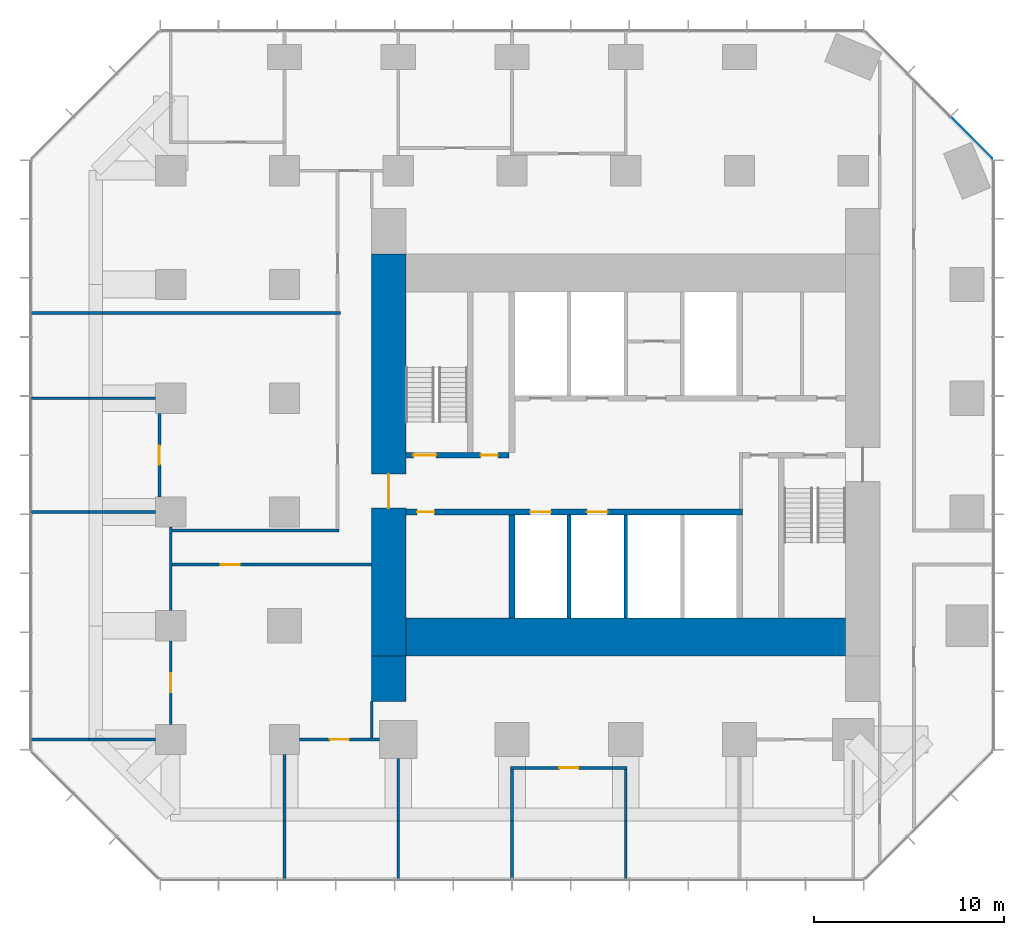
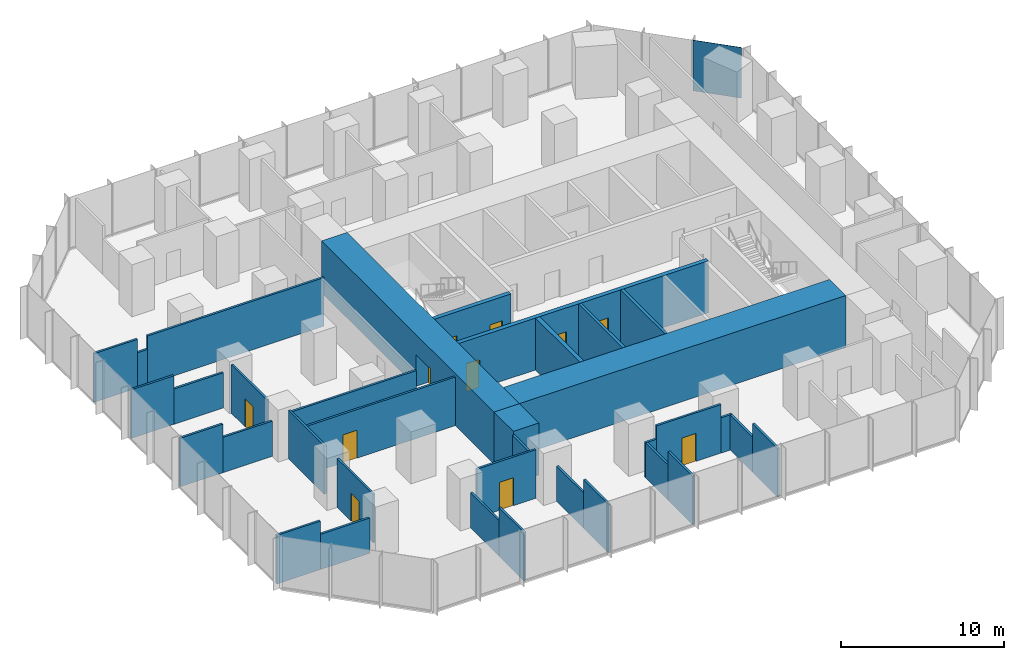
# One storey, part 8 of 11: 35 walls, 11 doors, 1 plate, 11 openings, 1 element without a shape of its own.
"""IFC4 building model written with IfcOpenShell, lengths in metres."""

import ifcopenshell
import ifcopenshell.guid

model = None  # the IFC model being written
_history = None  # IfcOwnerHistory: only IFC2X3 demands one
_inside = {}  # id of a spatial element -> (the spatial element, [elements in it])
_under = {}  # id of a project, library or spatial element -> (it, [spatial elements below it])
_declared = {}  # id of a project -> (the project, [libraries it declares])
_typed = {}  # id of a type object -> (the type object, [elements of that type])
_made_of = {}  # id of a material, layer set ... -> (it, [elements and type objects made of it])


def new_model(schema):
    """Start an empty IFC model of exactly this schema.

    Asked for "IFC4X3", IfcOpenShell would pick the latest addendum, in which some entities
    have other attributes; the version numbers below select the first issue.
    IFC2X3 requires an IfcOwnerHistory on every rooted entity: one is made here for all.
    """
    global model, _history
    if schema == "IFC4X3":
        model = ifcopenshell.file(schema_version=(4, 3, 0, 0))
    else:
        model = ifcopenshell.file(schema=schema)
    _inside.clear()
    _under.clear()
    _declared.clear()
    _typed.clear()
    _made_of.clear()
    _history = None
    if model.schema == "IFC2X3":
        org = make("IfcOrganization", Name="unknown")
        user = make(
            "IfcPersonAndOrganization",
            ThePerson=make("IfcPerson", FamilyName="unknown"),
            TheOrganization=org,
        )
        app = make(
            "IfcApplication",
            ApplicationDeveloper=org,
            Version="unknown",
            ApplicationFullName="unknown",
            ApplicationIdentifier="unknown",
        )
        _history = make(
            "IfcOwnerHistory",
            OwningUser=user,
            OwningApplication=app,
            ChangeAction="ADDED",
            CreationDate=0,
        )
    return model


def make(cls, **values):
    """One entity of the class cls with the attributes given. An attribute that is None is left unset."""
    return model.create_entity(
        cls, **{name: value for name, value in values.items() if value is not None}
    )


def rooted(cls, **values):
    """An entity with a GlobalId (a new one), such as an element, a storey or a relation."""
    return make(cls, GlobalId=ifcopenshell.guid.new(), OwnerHistory=_history, **values)


def si_unit(unit_type, name, prefix=None):
    """IfcSIUnit, for example si_unit("LENGTHUNIT", "METRE", prefix="MILLI")."""
    return make("IfcSIUnit", UnitType=unit_type, Prefix=prefix, Name=name)


def assignment(units):
    """IfcUnitAssignment: the units of a project."""
    return None if units is None else make("IfcUnitAssignment", Units=units)


def point(xyz):
    """IfcCartesianPoint."""
    return None if xyz is None else make("IfcCartesianPoint", Coordinates=xyz)


def direction(xyz):
    """IfcDirection."""
    return None if xyz is None else make("IfcDirection", DirectionRatios=xyz)


def frame(location, z_axis=None, x_axis=None):
    """IfcAxis2Placement3D, a coordinate frame: its origin and axes. An axis left out is left unset."""
    return make(
        "IfcAxis2Placement3D",
        Location=point(location),
        Axis=direction(z_axis),
        RefDirection=direction(x_axis),
    )


def frame_2d(location, x_axis=None):
    """IfcAxis2Placement2D, a coordinate frame in the plane: its origin and x axis."""
    return make(
        "IfcAxis2Placement2D", Location=point(location), RefDirection=direction(x_axis)
    )


def origin():
    """The frame at (0, 0, 0) with its axes left unset."""
    return frame((0.0, 0.0, 0.0))


def origin_2d():
    """The frame at (0, 0) in the plane with its x axis left unset."""
    return frame_2d((0.0, 0.0))


def place(relative_to, where):
    """IfcLocalPlacement: puts the frame where relative to a parent placement (None: the world)."""
    return make(
        "IfcLocalPlacement", PlacementRelTo=relative_to, RelativePlacement=where
    )


def context(
    kind, dimensions, precision=None, world=None, true_north=None, identifier=None
):
    """IfcGeometricRepresentationContext, for example the 3D "Model" context."""
    return make(
        "IfcGeometricRepresentationContext",
        ContextIdentifier=identifier,
        ContextType=kind,
        CoordinateSpaceDimension=dimensions,
        Precision=precision,
        WorldCoordinateSystem=world,
        TrueNorth=true_north,
    )


def subcontext(parent, identifier, kind, view, scale=None):
    """IfcGeometricRepresentationSubContext, for example "Body" below "Model"."""
    return make(
        "IfcGeometricRepresentationSubContext",
        ContextIdentifier=identifier,
        ContextType=kind,
        ParentContext=parent,
        TargetScale=scale,
        TargetView=view,
    )


def project(units=None, contexts=None):
    """IfcProject with its units and contexts."""
    return rooted(
        "IfcProject",
        Name="project",
        RepresentationContexts=contexts,
        UnitsInContext=assignment(units),
    )


def spatial(cls, under=None, at=None, **own):
    """A site, building, storey or space (cls), placed at a placement, below another one or the project."""
    s = rooted(cls, ObjectPlacement=at, **own)
    if under is not None:
        _under.setdefault(under.id(), (under, []))[1].append(s)
    return s


def profile(cls, at=None, kind="AREA", **sizes):
    """A parametric profile (cls). Its sizes go by their IFC names, for example OverallWidth=200.0."""
    return make(cls, ProfileType=kind, Position=at, **sizes)


def rectangle(**sizes):
    """IfcRectangleProfileDef."""
    return profile("IfcRectangleProfileDef", **sizes)


def extrude(swept, where, along, depth):
    """IfcExtrudedAreaSolid: the profile swept, set in the frame where, extruded along a direction by depth."""
    return make(
        "IfcExtrudedAreaSolid",
        SweptArea=swept,
        Position=where,
        ExtrudedDirection=direction(along),
        Depth=depth,
    )


def shape(context_of_items, identifier, shape_type, items):
    """IfcShapeRepresentation: the items that make up one representation, for example the "Body"."""
    return make(
        "IfcShapeRepresentation",
        ContextOfItems=context_of_items,
        RepresentationIdentifier=identifier,
        RepresentationType=shape_type,
        Items=items,
    )


def material(Name=None, Category=None):
    """IfcMaterial."""
    return make("IfcMaterial", Name=Name, Category=Category)


def layer(
    of_material, thickness, ventilated=None, Name=None, Category=None, Priority=None
):
    """IfcMaterialLayer: one layer of a wall or slab, of a material (None: an air gap)."""
    return make(
        "IfcMaterialLayer",
        Material=of_material,
        LayerThickness=thickness,
        IsVentilated=ventilated,
        Name=Name,
        Category=Category,
        Priority=Priority,
    )


def layer_set(layers, Name=None):
    """IfcMaterialLayerSet."""
    return make("IfcMaterialLayerSet", MaterialLayers=layers, LayerSetName=Name)


def made_of(thing, what):
    """Note that an element or type object is made of a material, layer set ...; save() writes the relation."""
    if what is not None:
        _made_of.setdefault(what.id(), (what, []))[1].append(thing)
    return thing


def type_object(cls, material=None, **own):
    """A type object (cls), such as IfcWallType, which elements share."""
    return made_of(rooted(cls, **own), material)


def element(
    cls,
    number,
    at=None,
    inside=None,
    cuts=None,
    type_object=None,
    material=None,
    context=None,
    identifier="Body",
    shape_type=None,
    held_by="IfcProductDefinitionShape",
    body=None,
    shapes=None,
    **own,
):
    """One element of the class cls, such as IfcWall. Its Tag is "e" and its number.

    at: its placement. inside: the storey or other place that contains it. cuts: it is an
    opening in that element (IfcRelVoidsElement). A single representation is given by context,
    identifier, shape_type and body (its items); several are given by shapes. held_by: the class
    of the entity that holds the representations. save() writes the other relations.
    """
    e = rooted(cls, Tag="e%d" % number, ObjectPlacement=at, **own)
    if body is not None:
        shapes = [shape(context, identifier, shape_type, body)]
    if shapes is not None:
        e.Representation = make(held_by, Representations=shapes)
    if inside is not None:
        _inside.setdefault(inside.id(), (inside, []))[1].append(e)
    if cuts is not None:
        rooted(
            "IfcRelVoidsElement", RelatingBuildingElement=cuts, RelatedOpeningElement=e
        )
    if type_object is not None:
        _typed.setdefault(type_object.id(), (type_object, []))[1].append(e)
    return made_of(e, material)


def fill(opening, filler):
    """IfcRelFillsElement: the door or window that sits in an opening."""
    return rooted(
        "IfcRelFillsElement",
        RelatingOpeningElement=opening,
        RelatedBuildingElement=filler,
    )


def aggregate(whole, parts):
    """IfcRelAggregates: a whole, such as a stair, and the parts it consists of."""
    return rooted("IfcRelAggregates", RelatingObject=whole, RelatedObjects=parts)


def save(model, path):
    """Write the relations noted so far, then the file.

    IfcRelAggregates (storeys below a building ...), IfcRelContainedInSpatialStructure (elements
    in a storey), IfcRelDefinesByType, IfcRelAssociatesMaterial and IfcRelDeclares: one each for
    every whole, place, type object, material and project.
    """
    for whole, parts in _under.values():
        aggregate(whole, parts)
    for where, things in _inside.values():
        rooted(
            "IfcRelContainedInSpatialStructure",
            RelatedElements=things,
            RelatingStructure=where,
        )
    for kind, things in _typed.values():
        rooted("IfcRelDefinesByType", RelatedObjects=things, RelatingType=kind)
    for what, things in _made_of.values():
        rooted("IfcRelAssociatesMaterial", RelatedObjects=things, RelatingMaterial=what)
    for by, libraries in _declared.values():
        rooted("IfcRelDeclares", RelatingContext=by, RelatedDefinitions=libraries)
    model.write(path)


model = new_model("IFC4")

# Units and contexts
model_context = context("Model", 3, precision=1e-05, world=origin(), true_north=direction((0.0, 1.0)))
body_context = subcontext(model_context, "Body", "Model", "MODEL_VIEW")
ifc_project = project(units=[si_unit("LENGTHUNIT", "METRE"), si_unit("AREAUNIT", "SQUARE_METRE"), si_unit("VOLUMEUNIT", "CUBIC_METRE"), si_unit("PLANEANGLEUNIT", "RADIAN"), si_unit("MASSUNIT", "GRAM", prefix="KILO")], contexts=[model_context])

# Site, building, storey
site_placement = place(None, origin())
site = spatial("IfcSite", under=ifc_project, at=site_placement, CompositionType="ELEMENT")
building_placement = place(site_placement, origin())
building = spatial("IfcBuilding", under=site, at=building_placement, Name="Highveld Stack Headquarters", CompositionType="ELEMENT")
storey_placement = place(building_placement, frame((0.0, 0.0, 128.89990234375)))
storey = spatial("IfcBuildingStorey", under=building, at=storey_placement, Name="L31", CompositionType="ELEMENT", Elevation=128.89990234375)

# Curtain wall, plate
ifc_material_1 = material(Name="Aluminium bronze anodised", Category="aluminium")
ifc_layer_1 = layer(ifc_material_1, 0.199951171875)
ifc_layer_set_1 = layer_set([ifc_layer_1], Name="Aluminium bronze anodised")
curtain_wall_type = type_object("IfcCurtainWallType", Name="CW2 TOWER CHAMFER UNITISED CURTAIN WALL", PredefinedType="NOTDEFINED", material=ifc_layer_set_1)
curtain_wall_placement = place(storey_placement, origin())
curtain_wall = element("IfcCurtainWall", 1, at=curtain_wall_placement, inside=storey, type_object=curtain_wall_type, Name="Curtain wall CW2 L31 NE", PredefinedType="NOTDEFINED")
ifc_material_2 = material(Name="Glass bronze tinted double glazed unit", Category="glass")
ifc_layer_2 = layer(ifc_material_2, 0.028076171875)
ifc_layer_set_2 = layer_set([ifc_layer_2], Name="Glass bronze tinted double glazed unit")
plate_type = type_object("IfcPlateType", Name="CW2 PANEL BRONZE TINTED DOUBLE GLAZED UNIT", PredefinedType="CURTAIN_PANEL", material=ifc_layer_set_2)
plate_placement = place(storey_placement, frame((24.239501953125, 19.740478515625, 0.10009765625), z_axis=(0.0, 0.0, 1.0), x_axis=(-0.707106781187, 0.707106781187, 0.0)))
plate = element("IfcPlate", 2, at=plate_placement, type_object=plate_type, Name="CW2 panel L31 1.1", PredefinedType="CURTAIN_PANEL", context=body_context, shape_type="SweptSolid", body=[
    extrude(rectangle(XDim=3.08251953125, YDim=0.028076171875, at=origin_2d()), origin(), (0.0, 0.0, 1.0), 3.800048828125),
])
aggregate(curtain_wall, [plate])

# Wall, opening, door
ifc_material_3 = material(Name="Concrete C60/75", Category="concrete")
ifc_layer_3 = layer(ifc_material_3, 1.800048828125)
ifc_layer_set_3 = layer_set([ifc_layer_3], Name="Concrete C60/75")
wall_type_1 = type_object("IfcWallType", Name="CORE WALL 1800 C60/75", PredefinedType="SHEAR", material=ifc_layer_set_3)
wall_1_placement = place(storey_placement, frame((-6.5, -7.60009765625, 0.0), z_axis=(0.0, 0.0, 1.0), x_axis=(0.0, 1.0, 0.0)))
wall_1 = element("IfcWall", 3, at=wall_1_placement, inside=storey, type_object=wall_type_1, Name="Core wall W L31", PredefinedType="SHEAR", context=body_context, shape_type="SweptSolid", body=[
    extrude(rectangle(XDim=21.2001953125, YDim=1.800048828125, at=frame_2d((10.60009765625, 0.0))), origin(), (0.0, 0.0, 1.0), 3.900146484375),
])
opening_1_placement = place(wall_1_placement, frame((7.800048828125, 0.0, 0.0)))
opening_1 = element("IfcOpeningElement", 4, at=opening_1_placement, cuts=wall_1, Name="Opening L31-01", PredefinedType="OPENING", context=body_context, shape_type="SweptSolid", body=[
    extrude(rectangle(XDim=1.800048828125, YDim=2.39990234375, at=frame_2d((0.89990234375, 1.199951171875))), frame((0.0, 0.909912109375, 0.0), z_axis=(0.0, -1.0, 0.0), x_axis=(1.0, 0.0, 0.0)), (0.0, 0.0, 1.0), 1.820068359375),
])
ifc_material_4 = material(Name="Steel fire door", Category="steel")
door_type_1 = type_object("IfcDoorType", Name="LOBBY FIRE DOOR D4 1800x2400", OperationType="DOUBLE_DOOR_SINGLE_SWING", PredefinedType="DOOR", material=ifc_material_4)
door_1_placement = place(opening_1_placement, origin())
door_1 = element("IfcDoor", 5, at=door_1_placement, inside=storey, type_object=door_type_1, Name="Core west door L31", OperationType="DOUBLE_DOOR_SINGLE_SWING", OverallHeight=2.39990234375, OverallWidth=1.800048828125, PredefinedType="DOOR", context=body_context, shape_type="SweptSolid", body=[
    extrude(rectangle(XDim=1.800048828125, YDim=2.39990234375, at=frame_2d((0.89990234375, 1.199951171875))), frame((0.0, 0.02490234375, 0.0), z_axis=(0.0, -1.0, 0.0), x_axis=(1.0, 0.0, 0.0)), (0.0, 0.0, 1.0), 0.050048828125),
])
fill(opening_1, door_1)

# Wall
ifc_material_5 = material(Name="Concrete C60/75", Category="concrete")
ifc_layer_4 = layer(ifc_material_5, 2.0)
ifc_layer_set_4 = layer_set([ifc_layer_4], Name="Concrete C60/75")
wall_type_2 = type_object("IfcWallType", Name="CORE WALL 2000 C60/75", PredefinedType="SHEAR", material=ifc_layer_set_4)
wall_2_placement = place(storey_placement, frame((-5.60009765625, -6.60009765625, 0.0), z_axis=(0.0, 0.0, 1.0), x_axis=(1.0, 0.0, 0.0)))
element("IfcWall", 6, at=wall_2_placement, inside=storey, type_object=wall_type_2, Name="Core wall S L31", PredefinedType="SHEAR", context=body_context, shape_type="SweptSolid", body=[
    extrude(rectangle(XDim=23.2001953125, YDim=2.0, at=frame_2d((11.60009765625, 0.0))), origin(), (0.0, 0.0, 1.0), 3.900146484375),
])

# Wall, openings, doors
ifc_material_6 = material(Name="Concrete C60/75", Category="concrete")
ifc_layer_5 = layer(ifc_material_6, 0.300048828125)
ifc_layer_set_5 = layer_set([ifc_layer_5], Name="Concrete C60/75")
wall_type_3 = type_object("IfcWallType", Name="CORE WALL 300 C60/75", PredefinedType="SHEAR", material=ifc_layer_set_5)
wall_3_placement = place(storey_placement, frame((-5.60009765625, 0.0, 0.0), z_axis=(0.0, 0.0, 1.0), x_axis=(1.0, 0.0, 0.0)))
wall_3 = element("IfcWall", 7, at=wall_3_placement, inside=storey, type_object=wall_type_3, Name="Core wall I-Y0 L31", PredefinedType="SHEAR", context=body_context, shape_type="SweptSolid", body=[
    extrude(rectangle(XDim=17.75, YDim=0.300048828125, at=frame_2d((8.875, 0.0))), origin(), (0.0, 0.0, 1.0), 3.900146484375),
])
opening_2_placement = place(wall_3_placement, frame((0.60009765625, 0.0, 0.0)))
opening_2 = element("IfcOpeningElement", 8, at=opening_2_placement, cuts=wall_3, Name="Opening L31-07", PredefinedType="OPENING", context=body_context, shape_type="SweptSolid", body=[
    extrude(rectangle(XDim=0.89990234375, YDim=2.10009765625, at=frame_2d((0.449951171875, 1.050048828125))), frame((0.0, 0.159912109375, 0.0), z_axis=(0.0, -1.0, 0.0), x_axis=(1.0, 0.0, 0.0)), (0.0, 0.0, 1.0), 0.320068359375),
])
opening_3_placement = place(wall_3_placement, frame((6.550048828125, 0.0, 0.0)))
opening_3 = element("IfcOpeningElement", 9, at=opening_3_placement, cuts=wall_3, Name="Opening LD", PredefinedType="OPENING", context=body_context, shape_type="SweptSolid", body=[
    extrude(rectangle(XDim=1.10009765625, YDim=2.10009765625, at=frame_2d((0.550048828125, 1.050048828125))), frame((0.0, 0.159912109375, 0.0), z_axis=(0.0, -1.0, 0.0), x_axis=(1.0, 0.0, 0.0)), (0.0, 0.0, 1.0), 0.320068359375),
])
opening_4_placement = place(wall_3_placement, frame((9.550048828125, 0.0, 0.0)))
opening_4 = element("IfcOpeningElement", 10, at=opening_4_placement, cuts=wall_3, Name="Opening LD", PredefinedType="OPENING", context=body_context, shape_type="SweptSolid", body=[
    extrude(rectangle(XDim=1.10009765625, YDim=2.10009765625, at=frame_2d((0.550048828125, 1.050048828125))), frame((0.0, 0.159912109375, 0.0), z_axis=(0.0, -1.0, 0.0), x_axis=(1.0, 0.0, 0.0)), (0.0, 0.0, 1.0), 0.320068359375),
])
ifc_material_7 = material(Name="Stainless steel lift landing door", Category="steel")
door_type_2 = type_object("IfcDoorType", Name="LIFT LANDING DOOR LD 1100x2100", OperationType="DOUBLE_DOOR_SLIDING", PredefinedType="USERDEFINED", material=ifc_material_7)
door_2_placement = place(opening_3_placement, origin())
door_2 = element("IfcDoor", 11, at=door_2_placement, inside=storey, type_object=door_type_2, Name="Lift landing door B1 L31", ObjectType="LIFT LANDING DOOR", OperationType="DOUBLE_DOOR_SLIDING", OverallHeight=2.10009765625, OverallWidth=1.10009765625, PredefinedType="USERDEFINED", context=body_context, shape_type="SweptSolid", body=[
    extrude(rectangle(XDim=1.10009765625, YDim=2.10009765625, at=frame_2d((0.550048828125, 1.050048828125))), frame((0.0, 0.02490234375, 0.0), z_axis=(0.0, -1.0, 0.0), x_axis=(1.0, 0.0, 0.0)), (0.0, 0.0, 1.0), 0.050048828125),
])
fill(opening_3, door_2)
door_3_placement = place(opening_4_placement, origin())
door_3 = element("IfcDoor", 12, at=door_3_placement, inside=storey, type_object=door_type_2, Name="Lift landing door B2 L31", ObjectType="LIFT LANDING DOOR", OperationType="DOUBLE_DOOR_SLIDING", OverallHeight=2.10009765625, OverallWidth=1.10009765625, PredefinedType="USERDEFINED", context=body_context, shape_type="SweptSolid", body=[
    extrude(rectangle(XDim=1.10009765625, YDim=2.10009765625, at=frame_2d((0.550048828125, 1.050048828125))), frame((0.0, 0.02490234375, 0.0), z_axis=(0.0, -1.0, 0.0), x_axis=(1.0, 0.0, 0.0)), (0.0, 0.0, 1.0), 0.050048828125),
])
fill(opening_4, door_3)
ifc_material_8 = material(Name="Timber door, painted", Category="wood")
door_type_3 = type_object("IfcDoorType", Name="WC DOOR D1 900x2100", OperationType="SINGLE_SWING_LEFT", PredefinedType="DOOR", material=ifc_material_8)
door_4_placement = place(opening_2_placement, origin())
door_4 = element("IfcDoor", 13, at=door_4_placement, inside=storey, type_object=door_type_3, Name="Female WC door L31", OperationType="SINGLE_SWING_LEFT", OverallHeight=2.10009765625, OverallWidth=0.89990234375, PredefinedType="DOOR", context=body_context, shape_type="SweptSolid", body=[
    extrude(rectangle(XDim=0.89990234375, YDim=2.10009765625, at=frame_2d((0.449951171875, 1.050048828125))), frame((0.0, 0.02490234375, 0.0), z_axis=(0.0, -1.0, 0.0), x_axis=(1.0, 0.0, 0.0)), (0.0, 0.0, 1.0), 0.050048828125),
])
fill(opening_2, door_4)

wall_4_placement = place(storey_placement, frame((-5.60009765625, 3.0, 0.0), z_axis=(0.0, 0.0, 1.0), x_axis=(1.0, 0.0, 0.0)))
wall_4 = element("IfcWall", 14, at=wall_4_placement, inside=storey, type_object=wall_type_3, Name="Core wall I-Y3W L31", PredefinedType="SHEAR", context=body_context, shape_type="SweptSolid", body=[
    extrude(rectangle(XDim=5.4501953125, YDim=0.300048828125, at=frame_2d((2.72509765625, 0.0))), origin(), (0.0, 0.0, 1.0), 3.900146484375),
])
opening_5_placement = place(wall_4_placement, frame((0.39990234375, 0.0, 0.0)))
opening_5 = element("IfcOpeningElement", 15, at=opening_5_placement, cuts=wall_4, Name="Opening L31-03", PredefinedType="OPENING", context=body_context, shape_type="SweptSolid", body=[
    extrude(rectangle(XDim=1.199951171875, YDim=2.10009765625, at=frame_2d((0.60009765625, 1.050048828125))), frame((0.0, 0.159912109375, 0.0), z_axis=(0.0, -1.0, 0.0), x_axis=(1.0, 0.0, 0.0)), (0.0, 0.0, 1.0), 0.320068359375),
])
opening_6_placement = place(wall_4_placement, frame((3.949951171875, 0.0, 0.0)))
opening_6 = element("IfcOpeningElement", 16, at=opening_6_placement, cuts=wall_4, Name="Opening L31-04", PredefinedType="OPENING", context=body_context, shape_type="SweptSolid", body=[
    extrude(rectangle(XDim=0.89990234375, YDim=2.10009765625, at=frame_2d((0.449951171875, 1.050048828125))), frame((0.0, 0.159912109375, 0.0), z_axis=(0.0, -1.0, 0.0), x_axis=(1.0, 0.0, 0.0)), (0.0, 0.0, 1.0), 0.320068359375),
])
ifc_material_9 = material(Name="Steel fire door", Category="steel")
door_type_4 = type_object("IfcDoorType", Name="RISER ACCESS DOOR D5 900x2100", OperationType="SINGLE_SWING_LEFT", PredefinedType="DOOR", material=ifc_material_9)
door_5_placement = place(opening_6_placement, origin())
door_5 = element("IfcDoor", 17, at=door_5_placement, inside=storey, type_object=door_type_4, Name="Riser R1 door L31", OperationType="SINGLE_SWING_RIGHT", OverallHeight=2.10009765625, OverallWidth=0.89990234375, PredefinedType="DOOR", context=body_context, shape_type="SweptSolid", body=[
    extrude(rectangle(XDim=0.89990234375, YDim=2.10009765625, at=frame_2d((0.449951171875, 1.050048828125))), frame((0.0, 0.02490234375, 0.0), z_axis=(0.0, -1.0, 0.0), x_axis=(1.0, 0.0, 0.0)), (0.0, 0.0, 1.0), 0.050048828125),
])
fill(opening_6, door_5)
ifc_material_10 = material(Name="Steel fire door", Category="steel")
door_type_5 = type_object("IfcDoorType", Name="STAIR FIRE DOOR D3 1200x2100", OperationType="SINGLE_SWING_LEFT", PredefinedType="DOOR", material=ifc_material_10)
door_6_placement = place(opening_5_placement, origin())
door_6 = element("IfcDoor", 18, at=door_6_placement, inside=storey, type_object=door_type_5, Name="Stair S1 door L31", OperationType="SINGLE_SWING_LEFT", OverallHeight=2.10009765625, OverallWidth=1.199951171875, PredefinedType="DOOR", context=body_context, shape_type="SweptSolid", body=[
    extrude(rectangle(XDim=1.199951171875, YDim=2.10009765625, at=frame_2d((0.60009765625, 1.050048828125))), frame((0.0, 0.02490234375, 0.0), z_axis=(0.0, -1.0, 0.0), x_axis=(1.0, 0.0, 0.0)), (0.0, 0.0, 1.0), 0.050048828125),
])
fill(opening_5, door_6)

# Walls
wall_5_placement = place(storey_placement, frame((0.0, -5.60009765625, 0.0), z_axis=(0.0, 0.0, 1.0), x_axis=(0.0, 1.0, 0.0)))
element("IfcWall", 19, at=wall_5_placement, inside=storey, type_object=wall_type_3, Name="Core wall I-X0S L31", PredefinedType="SHEAR", context=body_context, shape_type="SweptSolid", body=[
    extrude(rectangle(XDim=5.4501953125, YDim=0.300048828125, at=frame_2d((2.72509765625, 0.0))), origin(), (0.0, 0.0, 1.0), 3.900146484375),
])
ifc_material_11 = material(Name="Concrete C60/75", Category="concrete")
ifc_layer_6 = layer(ifc_material_11, 1.800048828125)
ifc_layer_set_6 = layer_set([ifc_layer_6], Name="Concrete C60/75")
wall_type_4 = type_object("IfcWallType", Name="CORE WING WALL 1800 C60/75", PredefinedType="SHEAR", material=ifc_layer_set_6)
wall_6_placement = place(storey_placement, frame((-6.5, -10.0, 0.0), z_axis=(0.0, 0.0, 1.0), x_axis=(0.0, 1.0, 0.0)))
element("IfcWall", 20, at=wall_6_placement, inside=storey, type_object=wall_type_4, Name="Core wing wall WS L31", PredefinedType="SHEAR", context=body_context, shape_type="SweptSolid", body=[
    extrude(rectangle(XDim=2.39990234375, YDim=1.800048828125, at=frame_2d((1.199951171875, 0.0))), origin(), (0.0, 0.0, 1.0), 3.900146484375),
])

# Wall, opening, door
ifc_material_12 = material(Name="Laminated glass in aluminium frame", Category="aluminium")
ifc_layer_7 = layer(ifc_material_12, 0.14990234375)
ifc_layer_set_7 = layer_set([ifc_layer_7], Name="Laminated glass in aluminium frame")
wall_type_5 = type_object("IfcWallType", Name="GLAZED PARTITION 150", PredefinedType="PARTITIONING", material=ifc_layer_set_7)
wall_7_placement = place(storey_placement, frame((-11.199951171875, -12.0, 0.0), z_axis=(0.0, 0.0, 1.0), x_axis=(1.0, 0.0, 0.0)))
wall_7 = element("IfcWall", 21, at=wall_7_placement, inside=storey, type_object=wall_type_5, Name="Glazed partition Meeting room L31", PredefinedType="PARTITIONING", context=body_context, shape_type="SweptSolid", body=[
    extrude(rectangle(XDim=4.199951171875, YDim=0.14990234375, at=frame_2d((2.10009765625, 0.0))), origin(), (0.0, 0.0, 1.0), 3.650146484375),
])
opening_7_placement = place(wall_7_placement, frame((1.60009765625, 0.0, 0.0)))
opening_7 = element("IfcOpeningElement", 22, at=opening_7_placement, cuts=wall_7, Name="Opening L31-12", PredefinedType="OPENING", context=body_context, shape_type="SweptSolid", body=[
    extrude(rectangle(XDim=1.0, YDim=2.10009765625, at=frame_2d((0.5, 1.050048828125))), frame((0.0, 0.0849609375, 0.0), z_axis=(0.0, -1.0, 0.0), x_axis=(1.0, 0.0, 0.0)), (0.0, 0.0, 1.0), 0.169921875),
])
ifc_material_13 = material(Name="Timber door, oiled ash", Category="wood")
door_type_6 = type_object("IfcDoorType", Name="ROOM DOOR D6 1000x2100", OperationType="SINGLE_SWING_LEFT", PredefinedType="DOOR", material=ifc_material_13)
door_7_placement = place(opening_7_placement, origin())
door_7 = element("IfcDoor", 23, at=door_7_placement, inside=storey, type_object=door_type_6, Name="Meeting room door 1 L31", OperationType="SINGLE_SWING_RIGHT", OverallHeight=2.10009765625, OverallWidth=1.0, PredefinedType="DOOR", context=body_context, shape_type="SweptSolid", body=[
    extrude(rectangle(XDim=1.0, YDim=2.10009765625, at=frame_2d((0.5, 1.050048828125))), frame((0.0, 0.02490234375, 0.0), z_axis=(0.0, -1.0, 0.0), x_axis=(1.0, 0.0, 0.0)), (0.0, 0.0, 1.0), 0.050048828125),
])
fill(opening_7, door_7)

wall_8_placement = place(storey_placement, frame((-18.60009765625, 0.800048828125, 0.0), z_axis=(0.0, 0.0, 1.0), x_axis=(0.0, 1.0, 0.0)))
wall_8 = element("IfcWall", 24, at=wall_8_placement, inside=storey, type_object=wall_type_5, Name="Glazed partition Video conference room L31", PredefinedType="PARTITIONING", context=body_context, shape_type="SweptSolid", body=[
    extrude(rectangle(XDim=4.39990234375, YDim=0.14990234375, at=frame_2d((2.199951171875, 0.0))), origin(), (0.0, 0.0, 1.0), 3.650146484375),
])
opening_8_placement = place(wall_8_placement, frame((1.699951171875, 0.0, 0.0)))
opening_8 = element("IfcOpeningElement", 25, at=opening_8_placement, cuts=wall_8, Name="Opening L31-16", PredefinedType="OPENING", context=body_context, shape_type="SweptSolid", body=[
    extrude(rectangle(XDim=1.0, YDim=2.10009765625, at=frame_2d((0.5, 1.050048828125))), frame((0.0, 0.0849609375, 0.0), z_axis=(0.0, -1.0, 0.0), x_axis=(1.0, 0.0, 0.0)), (0.0, 0.0, 1.0), 0.169921875),
])
door_8_placement = place(opening_8_placement, origin())
door_8 = element("IfcDoor", 26, at=door_8_placement, inside=storey, type_object=door_type_6, Name="Video conference room door 1 L31", OperationType="SINGLE_SWING_LEFT", OverallHeight=2.10009765625, OverallWidth=1.0, PredefinedType="DOOR", context=body_context, shape_type="SweptSolid", body=[
    extrude(rectangle(XDim=1.0, YDim=2.10009765625, at=frame_2d((0.5, 1.050048828125))), frame((0.0, 0.02490234375, 0.0), z_axis=(0.0, -1.0, 0.0), x_axis=(1.0, 0.0, 0.0)), (0.0, 0.0, 1.0), 0.050048828125),
])
fill(opening_8, door_8)

# Walls
ifc_material_14 = material(Name="Concrete blockwork, fair-faced", Category="masonry")
ifc_layer_8 = layer(ifc_material_14, 0.199951171875)
ifc_layer_set_8 = layer_set([ifc_layer_8], Name="Concrete blockwork, fair-faced")
wall_type_6 = type_object("IfcWallType", Name="LIFT SHAFT ENCLOSURE WALL 200 BLOCKWORK", PredefinedType="SOLIDWALL", material=ifc_layer_set_8)
for number, where, z_axis, x_axis, name in (
    (27, (3.0, -5.60009765625, 0.0), (0.0, 0.0, 1.0), (0.0, 1.0, 0.0), "Lift shaft wall L31"),
    (28, (6.0, -5.60009765625, 0.0), (0.0, 0.0, 1.0), (0.0, 1.0, 0.0), "Lift shaft wall L31"),
):
    element("IfcWall", number, at=place(storey_placement, frame(where, z_axis=z_axis, x_axis=x_axis)), inside=storey, type_object=wall_type_6, Name=name, PredefinedType="SOLIDWALL", context=body_context, shape_type="SweptSolid", body=[
        extrude(rectangle(XDim=5.4501953125, YDim=0.199951171875, at=frame_2d((2.72509765625, 0.0))), origin(), (0.0, 0.0, 1.0), 3.900146484375),
    ])
ifc_material_15 = material(Name="Gypsum plasterboard on steel studs", Category="steel")
ifc_layer_9 = layer(ifc_material_15, 0.14990234375)
ifc_layer_set_9 = layer_set([ifc_layer_9], Name="Gypsum plasterboard on steel studs")
wall_type_7 = type_object("IfcWallType", Name="PARTITION 150 PLASTERBOARD", PredefinedType="PARTITIONING", material=ifc_layer_set_9)
wall_9_placement = place(storey_placement, frame((-0.074951171875, -13.5, 0.0), z_axis=(0.0, 0.0, 1.0), x_axis=(1.0, 0.0, 0.0)))
element("IfcWall", 29, at=wall_9_placement, inside=storey, type_object=wall_type_7, Name="Partition Quiet room L31", PredefinedType="PARTITIONING", context=body_context, shape_type="SweptSolid", body=[
    extrude(rectangle(XDim=0.784912109375, YDim=0.14990234375, at=frame_2d((0.392578125, 0.0))), origin(), (0.0, 0.0, 1.0), 2.650146484375),
])

# Wall, opening, door
wall_10_placement = place(storey_placement, frame((0.7099609375, -13.5, 0.0), z_axis=(0.0, 0.0, 1.0), x_axis=(1.0, 0.0, 0.0)))
wall_10 = element("IfcWall", 30, at=wall_10_placement, inside=storey, type_object=wall_type_7, Name="Partition Quiet room L31", PredefinedType="PARTITIONING", context=body_context, shape_type="SweptSolid", body=[
    extrude(rectangle(XDim=4.580078125, YDim=0.14990234375, at=frame_2d((2.2900390625, 0.0))), origin(), (0.0, 0.0, 1.0), 3.650146484375),
])
opening_9_placement = place(wall_10_placement, frame((1.7900390625, 0.0, 0.0)))
opening_9 = element("IfcOpeningElement", 31, at=opening_9_placement, cuts=wall_10, Name="Opening L31-13", PredefinedType="OPENING", context=body_context, shape_type="SweptSolid", body=[
    extrude(rectangle(XDim=1.0, YDim=2.10009765625, at=frame_2d((0.5, 1.050048828125))), frame((0.0, 0.0849609375, 0.0), z_axis=(0.0, -1.0, 0.0), x_axis=(1.0, 0.0, 0.0)), (0.0, 0.0, 1.0), 0.169921875),
])
door_9_placement = place(opening_9_placement, origin())
door_9 = element("IfcDoor", 32, at=door_9_placement, inside=storey, type_object=door_type_6, Name="Quiet room door 1 L31", OperationType="SINGLE_SWING_RIGHT", OverallHeight=2.10009765625, OverallWidth=1.0, PredefinedType="DOOR", context=body_context, shape_type="SweptSolid", body=[
    extrude(rectangle(XDim=1.0, YDim=2.10009765625, at=frame_2d((0.5, 1.050048828125))), frame((0.0, 0.02490234375, 0.0), z_axis=(0.0, -1.0, 0.0), x_axis=(1.0, 0.0, 0.0)), (0.0, 0.0, 1.0), 0.050048828125),
])
fill(opening_9, door_9)

# Walls
wall_11_placement = place(storey_placement, frame((5.2900390625, -13.5, 0.0), z_axis=(0.0, 0.0, 1.0), x_axis=(1.0, 0.0, 0.0)))
element("IfcWall", 33, at=wall_11_placement, inside=storey, type_object=wall_type_7, Name="Partition Quiet room L31", PredefinedType="PARTITIONING", context=body_context, shape_type="SweptSolid", body=[
    extrude(rectangle(XDim=0.784912109375, YDim=0.14990234375, at=frame_2d((0.392578125, 0.0))), origin(), (0.0, 0.0, 1.0), 2.650146484375),
])
wall_12_placement = place(storey_placement, frame((-25.39990234375, -12.0, 0.0), z_axis=(0.0, 0.0, 1.0), x_axis=(1.0, 0.0, 0.0)))
element("IfcWall", 34, at=wall_12_placement, inside=storey, type_object=wall_type_7, Name="Partition Team office L31", PredefinedType="PARTITIONING", context=body_context, shape_type="SweptSolid", body=[
    extrude(rectangle(XDim=3.08984375, YDim=0.14990234375, at=frame_2d((1.544921875, 0.0))), origin(), (0.0, 0.0, 1.0), 3.650146484375),
])
wall_13_placement = place(storey_placement, frame((-22.31005859375, -12.0, 0.0), z_axis=(0.0, 0.0, 1.0), x_axis=(1.0, 0.0, 0.0)))
element("IfcWall", 35, at=wall_13_placement, inside=storey, type_object=wall_type_7, Name="Partition Team office L31", PredefinedType="PARTITIONING", context=body_context, shape_type="SweptSolid", body=[
    extrude(rectangle(XDim=3.510009765625, YDim=0.14990234375, at=frame_2d((1.7548828125, 0.0))), origin(), (0.0, 0.0, 1.0), 2.650146484375),
])
wall_14_placement = place(storey_placement, frame((-25.35009765625, 0.0, 0.0), z_axis=(0.0, 0.0, 1.0), x_axis=(1.0, 0.0, 0.0)))
element("IfcWall", 36, at=wall_14_placement, inside=storey, type_object=wall_type_7, Name="Partition Team office / Video conference room L31", PredefinedType="PARTITIONING", context=body_context, shape_type="SweptSolid", body=[
    extrude(rectangle(XDim=3.0400390625, YDim=0.14990234375, at=frame_2d((1.52001953125, 0.0))), origin(), (0.0, 0.0, 1.0), 3.650146484375),
])
wall_15_placement = place(storey_placement, frame((-22.31005859375, 0.0, 0.0), z_axis=(0.0, 0.0, 1.0), x_axis=(1.0, 0.0, 0.0)))
element("IfcWall", 37, at=wall_15_placement, inside=storey, type_object=wall_type_7, Name="Partition Team office / Video conference room L31", PredefinedType="PARTITIONING", context=body_context, shape_type="SweptSolid", body=[
    extrude(rectangle(XDim=3.510009765625, YDim=0.14990234375, at=frame_2d((1.7548828125, 0.0))), origin(), (0.0, 0.0, 1.0), 2.650146484375),
])
wall_16_placement = place(storey_placement, frame((-25.35009765625, 6.0, 0.0), z_axis=(0.0, 0.0, 1.0), x_axis=(1.0, 0.0, 0.0)))
element("IfcWall", 38, at=wall_16_placement, inside=storey, type_object=wall_type_7, Name="Partition Video conference room L31", PredefinedType="PARTITIONING", context=body_context, shape_type="SweptSolid", body=[
    extrude(rectangle(XDim=3.0400390625, YDim=0.14990234375, at=frame_2d((1.52001953125, 0.0))), origin(), (0.0, 0.0, 1.0), 3.650146484375),
])
wall_17_placement = place(storey_placement, frame((-22.31005859375, 6.0, 0.0), z_axis=(0.0, 0.0, 1.0), x_axis=(1.0, 0.0, 0.0)))
element("IfcWall", 39, at=wall_17_placement, inside=storey, type_object=wall_type_7, Name="Partition Video conference room L31", PredefinedType="PARTITIONING", context=body_context, shape_type="SweptSolid", body=[
    extrude(rectangle(XDim=3.510009765625, YDim=0.14990234375, at=frame_2d((1.7548828125, 0.0))), origin(), (0.0, 0.0, 1.0), 2.650146484375),
])

# Wall, opening, door
wall_18_placement = place(storey_placement, frame((-18.0, -11.199951171875, 0.0), z_axis=(0.0, 0.0, 1.0), x_axis=(0.0, 1.0, 0.0)))
wall_18 = element("IfcWall", 40, at=wall_18_placement, inside=storey, type_object=wall_type_7, Name="Partition Team office L31", PredefinedType="PARTITIONING", context=body_context, shape_type="SweptSolid", body=[
    extrude(rectangle(XDim=4.39990234375, YDim=0.14990234375, at=frame_2d((2.199951171875, 0.0))), origin(), (0.0, 0.0, 1.0), 3.650146484375),
])
opening_10_placement = place(wall_18_placement, frame((1.699951171875, 0.0, 0.0)))
opening_10 = element("IfcOpeningElement", 41, at=opening_10_placement, cuts=wall_18, Name="Opening L31-15", PredefinedType="OPENING", context=body_context, shape_type="SweptSolid", body=[
    extrude(rectangle(XDim=1.0, YDim=2.10009765625, at=frame_2d((0.5, 1.050048828125))), frame((0.0, 0.0849609375, 0.0), z_axis=(0.0, -1.0, 0.0), x_axis=(1.0, 0.0, 0.0)), (0.0, 0.0, 1.0), 0.169921875),
])
door_10_placement = place(opening_10_placement, origin())
door_10 = element("IfcDoor", 42, at=door_10_placement, inside=storey, type_object=door_type_6, Name="Team office door 1 L31", OperationType="SINGLE_SWING_LEFT", OverallHeight=2.10009765625, OverallWidth=1.0, PredefinedType="DOOR", context=body_context, shape_type="SweptSolid", body=[
    extrude(rectangle(XDim=1.0, YDim=2.10009765625, at=frame_2d((0.5, 1.050048828125))), frame((0.0, 0.02490234375, 0.0), z_axis=(0.0, -1.0, 0.0), x_axis=(1.0, 0.0, 0.0)), (0.0, 0.0, 1.0), 0.050048828125),
])
fill(opening_10, door_10)

# Walls
wall_19_placement = place(storey_placement, frame((-18.0, -5.199951171875, 0.0), z_axis=(0.0, 0.0, 1.0), x_axis=(0.0, 1.0, 0.0)))
element("IfcWall", 43, at=wall_19_placement, inside=storey, type_object=wall_type_7, Name="Partition Team office L31", PredefinedType="PARTITIONING", context=body_context, shape_type="SweptSolid", body=[
    extrude(rectangle(XDim=4.39990234375, YDim=0.14990234375, at=frame_2d((2.199951171875, 0.0))), origin(), (0.0, 0.0, 1.0), 3.650146484375),
])
wall_20_placement = place(storey_placement, frame((-12.0, -19.39990234375, 0.0), z_axis=(0.0, 0.0, 1.0), x_axis=(0.0, 1.0, 0.0)))
element("IfcWall", 44, at=wall_20_placement, inside=storey, type_object=wall_type_7, Name="Partition Meeting room L31", PredefinedType="PARTITIONING", context=body_context, shape_type="SweptSolid", body=[
    extrude(rectangle(XDim=3.08984375, YDim=0.14990234375, at=frame_2d((1.544921875, 0.0))), origin(), (0.0, 0.0, 1.0), 3.650146484375),
])
wall_21_placement = place(storey_placement, frame((-12.0, -16.31005859375, 0.0), z_axis=(0.0, 0.0, 1.0), x_axis=(0.0, 1.0, 0.0)))
element("IfcWall", 45, at=wall_21_placement, inside=storey, type_object=wall_type_7, Name="Partition Meeting room L31", PredefinedType="PARTITIONING", context=body_context, shape_type="SweptSolid", body=[
    extrude(rectangle(XDim=3.510009765625, YDim=0.14990234375, at=frame_2d((1.7548828125, 0.0))), origin(), (0.0, 0.0, 1.0), 2.650146484375),
])
wall_22_placement = place(storey_placement, frame((-6.0, -19.39990234375, 0.0), z_axis=(0.0, 0.0, 1.0), x_axis=(0.0, 1.0, 0.0)))
element("IfcWall", 46, at=wall_22_placement, inside=storey, type_object=wall_type_7, Name="Partition Meeting room L31", PredefinedType="PARTITIONING", context=body_context, shape_type="SweptSolid", body=[
    extrude(rectangle(XDim=3.08984375, YDim=0.14990234375, at=frame_2d((1.544921875, 0.0))), origin(), (0.0, 0.0, 1.0), 3.650146484375),
])
wall_23_placement = place(storey_placement, frame((-6.0, -16.31005859375, 0.0), z_axis=(0.0, 0.0, 1.0), x_axis=(0.0, 1.0, 0.0)))
element("IfcWall", 47, at=wall_23_placement, inside=storey, type_object=wall_type_7, Name="Partition Meeting room L31", PredefinedType="PARTITIONING", context=body_context, shape_type="SweptSolid", body=[
    extrude(rectangle(XDim=3.31005859375, YDim=0.14990234375, at=frame_2d((1.655029296875, 0.0))), origin(), (0.0, 0.0, 1.0), 2.650146484375),
])
wall_24_placement = place(storey_placement, frame((0.0, -19.35009765625, 0.0), z_axis=(0.0, 0.0, 1.0), x_axis=(0.0, 1.0, 0.0)))
element("IfcWall", 48, at=wall_24_placement, inside=storey, type_object=wall_type_7, Name="Partition Quiet room L31", PredefinedType="PARTITIONING", context=body_context, shape_type="SweptSolid", body=[
    extrude(rectangle(XDim=3.0400390625, YDim=0.14990234375, at=frame_2d((1.52001953125, 0.0))), origin(), (0.0, 0.0, 1.0), 3.650146484375),
])
wall_25_placement = place(storey_placement, frame((0.0, -16.31005859375, 0.0), z_axis=(0.0, 0.0, 1.0), x_axis=(0.0, 1.0, 0.0)))
element("IfcWall", 49, at=wall_25_placement, inside=storey, type_object=wall_type_7, Name="Partition Quiet room L31", PredefinedType="PARTITIONING", context=body_context, shape_type="SweptSolid", body=[
    extrude(rectangle(XDim=2.735107421875, YDim=0.14990234375, at=frame_2d((1.36767578125, 0.0))), origin(), (0.0, 0.0, 1.0), 2.650146484375),
])
wall_26_placement = place(storey_placement, frame((6.0, -19.39990234375, 0.0), z_axis=(0.0, 0.0, 1.0), x_axis=(0.0, 1.0, 0.0)))
element("IfcWall", 50, at=wall_26_placement, inside=storey, type_object=wall_type_7, Name="Partition Quiet room L31", PredefinedType="PARTITIONING", context=body_context, shape_type="SweptSolid", body=[
    extrude(rectangle(XDim=3.08984375, YDim=0.14990234375, at=frame_2d((1.544921875, 0.0))), origin(), (0.0, 0.0, 1.0), 3.650146484375),
])
wall_27_placement = place(storey_placement, frame((6.0, -16.31005859375, 0.0), z_axis=(0.0, 0.0, 1.0), x_axis=(0.0, 1.0, 0.0)))
element("IfcWall", 51, at=wall_27_placement, inside=storey, type_object=wall_type_7, Name="Partition Quiet room L31", PredefinedType="PARTITIONING", context=body_context, shape_type="SweptSolid", body=[
    extrude(rectangle(XDim=2.735107421875, YDim=0.14990234375, at=frame_2d((1.36767578125, 0.0))), origin(), (0.0, 0.0, 1.0), 2.650146484375),
])
wall_28_placement = place(storey_placement, frame((-25.39990234375, 10.5, 0.0), z_axis=(0.0, 0.0, 1.0), x_axis=(1.0, 0.0, 0.0)))
element("IfcWall", 52, at=wall_28_placement, inside=storey, type_object=wall_type_7, Name="Partition office neighbourhood L31", PredefinedType="PARTITIONING", context=body_context, shape_type="SweptSolid", body=[
    extrude(rectangle(XDim=3.08984375, YDim=0.14990234375, at=frame_2d((1.544921875, 0.0))), origin(), (0.0, 0.0, 1.0), 3.650146484375),
])
wall_29_placement = place(storey_placement, frame((-22.31005859375, 10.5, 0.0), z_axis=(0.0, 0.0, 1.0), x_axis=(1.0, 0.0, 0.0)))
element("IfcWall", 53, at=wall_29_placement, inside=storey, type_object=wall_type_7, Name="Partition office neighbourhood L31", PredefinedType="PARTITIONING", context=body_context, shape_type="SweptSolid", body=[
    extrude(rectangle(XDim=0.719970703125, YDim=0.14990234375, at=frame_2d((0.35986328125, 0.0))), origin(), (0.0, 0.0, 1.0), 2.650146484375),
])
wall_30_placement = place(storey_placement, frame((-21.590087890625, 10.5, 0.0), z_axis=(0.0, 0.0, 1.0), x_axis=(1.0, 0.0, 0.0)))
element("IfcWall", 54, at=wall_30_placement, inside=storey, type_object=wall_type_7, Name="Partition office neighbourhood L31", PredefinedType="PARTITIONING", context=body_context, shape_type="SweptSolid", body=[
    extrude(rectangle(XDim=12.5400390625, YDim=0.14990234375, at=frame_2d((6.27001953125, 0.0))), origin(), (0.0, 0.0, 1.0), 3.650146484375),
])

# Wall, opening, door
wall_31_placement = place(storey_placement, frame((-17.925048828125, -2.77490234375, 0.0), z_axis=(0.0, 0.0, 1.0), x_axis=(1.0, 0.0, 0.0)))
wall_31 = element("IfcWall", 55, at=wall_31_placement, inside=storey, type_object=wall_type_7, Name="Partition office neighbourhood L31", PredefinedType="PARTITIONING", context=body_context, shape_type="SweptSolid", body=[
    extrude(rectangle(XDim=10.525146484375, YDim=0.14990234375, at=frame_2d((5.2626953125, 0.0))), origin(), (0.0, 0.0, 1.0), 3.650146484375),
])
opening_11_placement = place(wall_31_placement, frame((2.553955078125, 0.0, 0.0)))
opening_11 = element("IfcOpeningElement", 56, at=opening_11_placement, cuts=wall_31, Name="Opening L31-26", PredefinedType="OPENING", context=body_context, shape_type="SweptSolid", body=[
    extrude(rectangle(XDim=1.0, YDim=2.10009765625, at=frame_2d((0.5, 1.050048828125))), frame((0.0, 0.0849609375, 0.0), z_axis=(0.0, -1.0, 0.0), x_axis=(1.0, 0.0, 0.0)), (0.0, 0.0, 1.0), 0.169921875),
])
door_11_placement = place(opening_11_placement, origin())
door_11 = element("IfcDoor", 57, at=door_11_placement, inside=storey, type_object=door_type_6, Name="Office neighbourhood door L31", OperationType="SINGLE_SWING_LEFT", OverallHeight=2.10009765625, OverallWidth=1.0, PredefinedType="DOOR", context=body_context, shape_type="SweptSolid", body=[
    extrude(rectangle(XDim=1.0, YDim=2.10009765625, at=frame_2d((0.5, 1.050048828125))), frame((0.0, 0.02490234375, 0.0), z_axis=(0.0, -1.0, 0.0), x_axis=(1.0, 0.0, 0.0)), (0.0, 0.0, 1.0), 0.050048828125),
])
fill(opening_11, door_11)

# Walls
wall_32_placement = place(storey_placement, frame((-17.925048828125, -0.97509765625, 0.0), z_axis=(0.0, 0.0, 1.0), x_axis=(1.0, 0.0, 0.0)))
element("IfcWall", 58, at=wall_32_placement, inside=storey, type_object=wall_type_7, Name="Partition office neighbourhood L31", PredefinedType="PARTITIONING", context=body_context, shape_type="SweptSolid", body=[
    extrude(rectangle(XDim=8.800048828125, YDim=0.14990234375, at=frame_2d((4.39990234375, 0.0))), origin(), (0.0, 0.0, 1.0), 3.650146484375),
])
wall_33_placement = place(storey_placement, frame((-7.39990234375, -11.925048828125, 0.0), z_axis=(0.0, 0.0, 1.0), x_axis=(0.0, 1.0, 0.0)))
element("IfcWall", 59, at=wall_33_placement, inside=storey, type_object=wall_type_7, Name="Partition office neighbourhood L31", PredefinedType="PARTITIONING", context=body_context, shape_type="SweptSolid", body=[
    extrude(rectangle(XDim=1.925048828125, YDim=0.14990234375, at=frame_2d((0.96240234375, 0.0))), origin(), (0.0, 0.0, 1.0), 3.650146484375),
])

save(model, "model.ifc")
